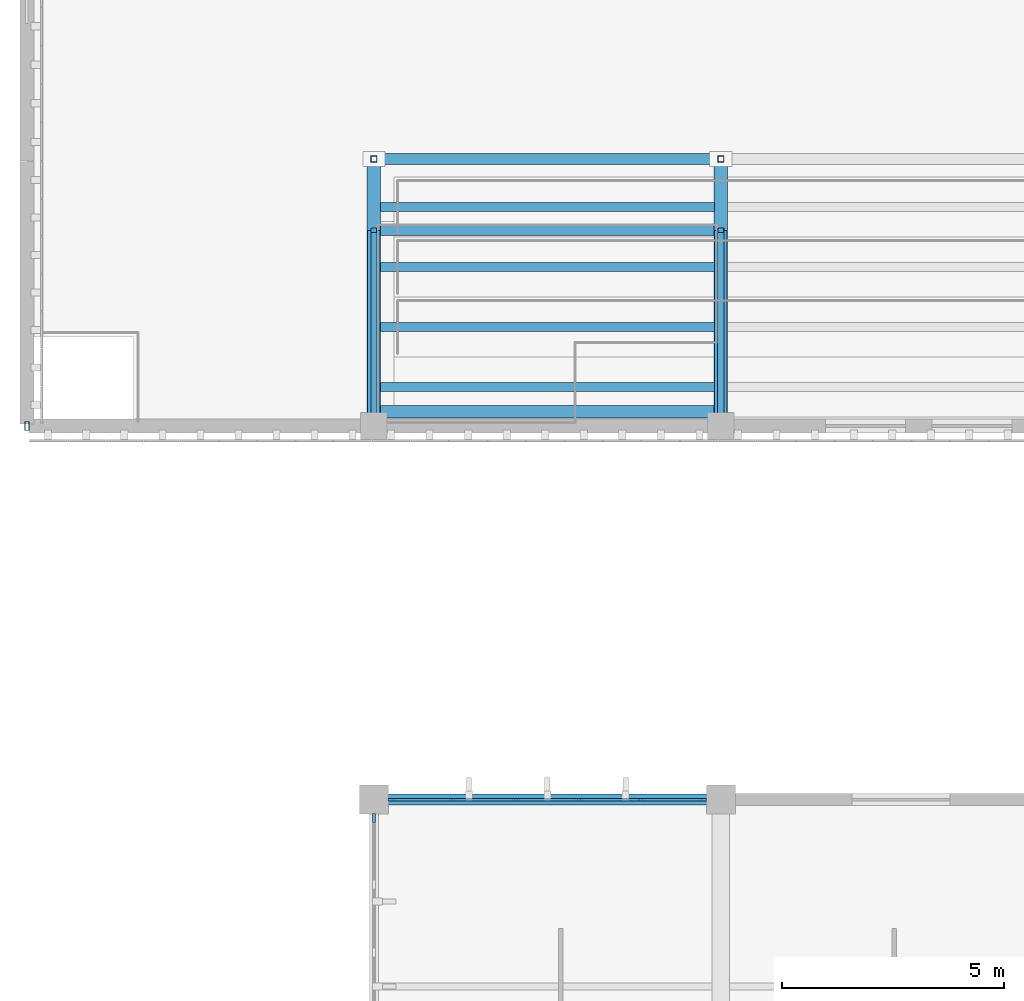
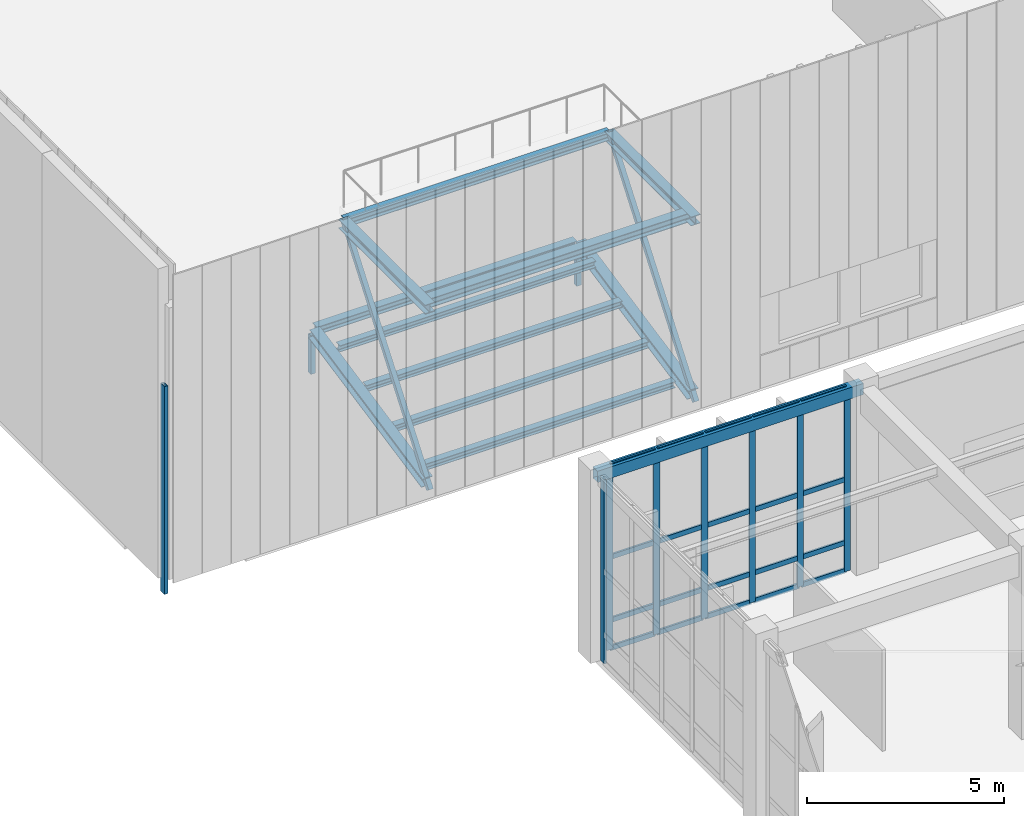
# One storey, part 14 of 105: 32 members, 12 beams, 2 elements without a shape of their own.
"""IFC4 building model written with IfcOpenShell, lengths in metres."""

import ifcopenshell
import ifcopenshell.guid

model = None  # the IFC model being written
_history = None  # IfcOwnerHistory: only IFC2X3 demands one
_inside = {}  # id of a spatial element -> (the spatial element, [elements in it])
_under = {}  # id of a project, library or spatial element -> (it, [spatial elements below it])
_declared = {}  # id of a project -> (the project, [libraries it declares])
_typed = {}  # id of a type object -> (the type object, [elements of that type])
_made_of = {}  # id of a material, layer set ... -> (it, [elements and type objects made of it])


def new_model(schema):
    """Start an empty IFC model of exactly this schema.

    Asked for "IFC4X3", IfcOpenShell would pick the latest addendum, in which some entities
    have other attributes; the version numbers below select the first issue.
    IFC2X3 requires an IfcOwnerHistory on every rooted entity: one is made here for all.
    """
    global model, _history
    if schema == "IFC4X3":
        model = ifcopenshell.file(schema_version=(4, 3, 0, 0))
    else:
        model = ifcopenshell.file(schema=schema)
    _inside.clear()
    _under.clear()
    _declared.clear()
    _typed.clear()
    _made_of.clear()
    _history = None
    if model.schema == "IFC2X3":
        org = make("IfcOrganization", Name="unknown")
        user = make(
            "IfcPersonAndOrganization",
            ThePerson=make("IfcPerson", FamilyName="unknown"),
            TheOrganization=org,
        )
        app = make(
            "IfcApplication",
            ApplicationDeveloper=org,
            Version="unknown",
            ApplicationFullName="unknown",
            ApplicationIdentifier="unknown",
        )
        _history = make(
            "IfcOwnerHistory",
            OwningUser=user,
            OwningApplication=app,
            ChangeAction="ADDED",
            CreationDate=0,
        )
    return model


def make(cls, **values):
    """One entity of the class cls with the attributes given. An attribute that is None is left unset."""
    return model.create_entity(
        cls, **{name: value for name, value in values.items() if value is not None}
    )


def rooted(cls, **values):
    """An entity with a GlobalId (a new one), such as an element, a storey or a relation."""
    return make(cls, GlobalId=ifcopenshell.guid.new(), OwnerHistory=_history, **values)


def si_unit(unit_type, name, prefix=None):
    """IfcSIUnit, for example si_unit("LENGTHUNIT", "METRE", prefix="MILLI")."""
    return make("IfcSIUnit", UnitType=unit_type, Prefix=prefix, Name=name)


def assignment(units):
    """IfcUnitAssignment: the units of a project."""
    return None if units is None else make("IfcUnitAssignment", Units=units)


def point(xyz):
    """IfcCartesianPoint."""
    return None if xyz is None else make("IfcCartesianPoint", Coordinates=xyz)


def direction(xyz):
    """IfcDirection."""
    return None if xyz is None else make("IfcDirection", DirectionRatios=xyz)


def frame(location, z_axis=None, x_axis=None):
    """IfcAxis2Placement3D, a coordinate frame: its origin and axes. An axis left out is left unset."""
    return make(
        "IfcAxis2Placement3D",
        Location=point(location),
        Axis=direction(z_axis),
        RefDirection=direction(x_axis),
    )


def frame_2d(location, x_axis=None):
    """IfcAxis2Placement2D, a coordinate frame in the plane: its origin and x axis."""
    return make(
        "IfcAxis2Placement2D", Location=point(location), RefDirection=direction(x_axis)
    )


def origin():
    """The frame at (0, 0, 0) with its axes left unset."""
    return frame((0.0, 0.0, 0.0))


def origin_2d():
    """The frame at (0, 0) in the plane with its x axis left unset."""
    return frame_2d((0.0, 0.0))


def place(relative_to, where):
    """IfcLocalPlacement: puts the frame where relative to a parent placement (None: the world)."""
    return make(
        "IfcLocalPlacement", PlacementRelTo=relative_to, RelativePlacement=where
    )


def context(
    kind, dimensions, precision=None, world=None, true_north=None, identifier=None
):
    """IfcGeometricRepresentationContext, for example the 3D "Model" context."""
    return make(
        "IfcGeometricRepresentationContext",
        ContextIdentifier=identifier,
        ContextType=kind,
        CoordinateSpaceDimension=dimensions,
        Precision=precision,
        WorldCoordinateSystem=world,
        TrueNorth=true_north,
    )


def subcontext(parent, identifier, kind, view, scale=None):
    """IfcGeometricRepresentationSubContext, for example "Body" below "Model"."""
    return make(
        "IfcGeometricRepresentationSubContext",
        ContextIdentifier=identifier,
        ContextType=kind,
        ParentContext=parent,
        TargetScale=scale,
        TargetView=view,
    )


def project(units=None, contexts=None):
    """IfcProject with its units and contexts."""
    return rooted(
        "IfcProject",
        Name="project",
        RepresentationContexts=contexts,
        UnitsInContext=assignment(units),
    )


def spatial(cls, under=None, at=None, **own):
    """A site, building, storey or space (cls), placed at a placement, below another one or the project."""
    s = rooted(cls, ObjectPlacement=at, **own)
    if under is not None:
        _under.setdefault(under.id(), (under, []))[1].append(s)
    return s


def profile(cls, at=None, kind="AREA", **sizes):
    """A parametric profile (cls). Its sizes go by their IFC names, for example OverallWidth=200.0."""
    return make(cls, ProfileType=kind, Position=at, **sizes)


def rectangle(**sizes):
    """IfcRectangleProfileDef."""
    return profile("IfcRectangleProfileDef", **sizes)


def hollow_rectangle(**sizes):
    """IfcRectangleHollowProfileDef."""
    return profile("IfcRectangleHollowProfileDef", **sizes)


def i_section(**sizes):
    """IfcIShapeProfileDef."""
    return profile("IfcIShapeProfileDef", **sizes)


def extrude(swept, where, along, depth):
    """IfcExtrudedAreaSolid: the profile swept, set in the frame where, extruded along a direction by depth."""
    return make(
        "IfcExtrudedAreaSolid",
        SweptArea=swept,
        Position=where,
        ExtrudedDirection=direction(along),
        Depth=depth,
    )


def shape(context_of_items, identifier, shape_type, items):
    """IfcShapeRepresentation: the items that make up one representation, for example the "Body"."""
    return make(
        "IfcShapeRepresentation",
        ContextOfItems=context_of_items,
        RepresentationIdentifier=identifier,
        RepresentationType=shape_type,
        Items=items,
    )


def material(Name=None, Category=None):
    """IfcMaterial."""
    return make("IfcMaterial", Name=Name, Category=Category)


def material_profile(
    of_material, cross_section, Name=None, Category=None, Priority=None
):
    """IfcMaterialProfile: a cross section and its material."""
    return make(
        "IfcMaterialProfile",
        Name=Name,
        Material=of_material,
        Profile=cross_section,
        Priority=Priority,
        Category=Category,
    )


def profile_set(profiles, Name=None, composite=None):
    """IfcMaterialProfileSet."""
    return make(
        "IfcMaterialProfileSet",
        Name=Name,
        MaterialProfiles=profiles,
        CompositeProfile=composite,
    )


def made_of(thing, what):
    """Note that an element or type object is made of a material, layer set ...; save() writes the relation."""
    if what is not None:
        _made_of.setdefault(what.id(), (what, []))[1].append(thing)
    return thing


def type_object(cls, material=None, **own):
    """A type object (cls), such as IfcWallType, which elements share."""
    return made_of(rooted(cls, **own), material)


def element(
    cls,
    number,
    at=None,
    inside=None,
    cuts=None,
    type_object=None,
    material=None,
    context=None,
    identifier="Body",
    shape_type=None,
    held_by="IfcProductDefinitionShape",
    body=None,
    shapes=None,
    **own,
):
    """One element of the class cls, such as IfcWall. Its Tag is "e" and its number.

    at: its placement. inside: the storey or other place that contains it. cuts: it is an
    opening in that element (IfcRelVoidsElement). A single representation is given by context,
    identifier, shape_type and body (its items); several are given by shapes. held_by: the class
    of the entity that holds the representations. save() writes the other relations.
    """
    e = rooted(cls, Tag="e%d" % number, ObjectPlacement=at, **own)
    if body is not None:
        shapes = [shape(context, identifier, shape_type, body)]
    if shapes is not None:
        e.Representation = make(held_by, Representations=shapes)
    if inside is not None:
        _inside.setdefault(inside.id(), (inside, []))[1].append(e)
    if cuts is not None:
        rooted(
            "IfcRelVoidsElement", RelatingBuildingElement=cuts, RelatedOpeningElement=e
        )
    if type_object is not None:
        _typed.setdefault(type_object.id(), (type_object, []))[1].append(e)
    return made_of(e, material)


def aggregate(whole, parts):
    """IfcRelAggregates: a whole, such as a stair, and the parts it consists of."""
    return rooted("IfcRelAggregates", RelatingObject=whole, RelatedObjects=parts)


def save(model, path):
    """Write the relations noted so far, then the file.

    IfcRelAggregates (storeys below a building ...), IfcRelContainedInSpatialStructure (elements
    in a storey), IfcRelDefinesByType, IfcRelAssociatesMaterial and IfcRelDeclares: one each for
    every whole, place, type object, material and project.
    """
    for whole, parts in _under.values():
        aggregate(whole, parts)
    for where, things in _inside.values():
        rooted(
            "IfcRelContainedInSpatialStructure",
            RelatedElements=things,
            RelatingStructure=where,
        )
    for kind, things in _typed.values():
        rooted("IfcRelDefinesByType", RelatedObjects=things, RelatingType=kind)
    for what, things in _made_of.values():
        rooted("IfcRelAssociatesMaterial", RelatedObjects=things, RelatingMaterial=what)
    for by, libraries in _declared.values():
        rooted("IfcRelDeclares", RelatingContext=by, RelatedDefinitions=libraries)
    model.write(path)


model = new_model("IFC4")

# Units and contexts
model_context = context("Model", 3, precision=1e-05, world=origin(), true_north=direction((0.0, 1.0)))
body_context = subcontext(model_context, "Body", "Model", "MODEL_VIEW")
ifc_project = project(units=[si_unit("LENGTHUNIT", "METRE"), si_unit("AREAUNIT", "SQUARE_METRE"), si_unit("VOLUMEUNIT", "CUBIC_METRE"), si_unit("PLANEANGLEUNIT", "RADIAN"), si_unit("MASSUNIT", "GRAM", prefix="KILO")], contexts=[model_context])

# Site, building, storey
site_placement = place(None, origin())
site = spatial("IfcSite", under=ifc_project, at=site_placement, CompositionType="ELEMENT")
building_placement = place(site_placement, origin())
building = spatial("IfcBuilding", under=site, at=building_placement, Name="Tizgana Railside Sports Hall", CompositionType="ELEMENT")
storey_placement = place(building_placement, frame((0.0, 0.0, 6.0)))
storey = spatial("IfcBuildingStorey", under=building, at=storey_placement, Name="L01", CompositionType="ELEMENT", Elevation=6.0)

# Curtain wall, members
ifc_material_1 = material(Name="Anodised aluminium and glass", Category="aluminium")
curtain_wall_type_1 = type_object("IfcCurtainWallType", Name="Unitised Curtain Wall Clinic 1200", PredefinedType="NOTDEFINED", material=ifc_material_1)
curtain_wall_1_placement = place(storey_placement, origin())
curtain_wall_1 = element("IfcCurtainWall", 1, at=curtain_wall_1_placement, inside=storey, type_object=curtain_wall_type_1, Name="L01 Curtain Wall CW-0092", PredefinedType="NOTDEFINED")
ifc_material_2 = material(Name="Anodised aluminium", Category="aluminium")
ifc_material_profile_1 = material_profile(ifc_material_2, rectangle(XDim=0.06005859375, YDim=0.179931640625, at=origin_2d()), Name="Mullion 60x180")
ifc_profile_set_1 = profile_set([ifc_material_profile_1], Name="Anodised aluminium")
member_type_1 = type_object("IfcMemberType", Name="Mullion 60x180", PredefinedType="MULLION", material=ifc_profile_set_1)
member_1_placement = place(storey_placement, frame((8.2099609375, 32.39990234375, 0.0), z_axis=(0.0, 0.0, 1.0), x_axis=(0.0, 1.0, 0.0)))
member_1 = element("IfcMember", 2, at=member_1_placement, type_object=member_type_1, Name="CW-05 mullion 1", PredefinedType="MULLION", context=body_context, shape_type="SweptSolid", body=[
    extrude(rectangle(XDim=0.06005859375, YDim=0.179931640625, at=origin_2d()), origin(), (0.0, 0.0, 1.0), 5.719970703125),
])
member_2_placement = place(storey_placement, frame((9.587890625, 32.39990234375, 0.0), z_axis=(0.0, 0.0, 1.0), x_axis=(0.0, 1.0, 0.0)))
member_2 = element("IfcMember", 3, at=member_2_placement, type_object=member_type_1, Name="CW-05 mullion 2", PredefinedType="MULLION", context=body_context, shape_type="SweptSolid", body=[
    extrude(rectangle(XDim=0.06005859375, YDim=0.179931640625, at=origin_2d()), origin(), (0.0, 0.0, 1.0), 5.719970703125),
])
member_3_placement = place(storey_placement, frame((10.99609375, 32.39990234375, 0.0), z_axis=(0.0, 0.0, 1.0), x_axis=(0.0, 1.0, 0.0)))
member_3 = element("IfcMember", 4, at=member_3_placement, type_object=member_type_1, Name="CW-05 mullion 3", PredefinedType="MULLION", context=body_context, shape_type="SweptSolid", body=[
    extrude(rectangle(XDim=0.06005859375, YDim=0.179931640625, at=origin_2d()), origin(), (0.0, 0.0, 1.0), 5.719970703125),
])
member_4_placement = place(storey_placement, frame((12.404052734375, 32.39990234375, 0.0), z_axis=(0.0, 0.0, 1.0), x_axis=(0.0, 1.0, 0.0)))
member_4 = element("IfcMember", 5, at=member_4_placement, type_object=member_type_1, Name="CW-05 mullion 4", PredefinedType="MULLION", context=body_context, shape_type="SweptSolid", body=[
    extrude(rectangle(XDim=0.06005859375, YDim=0.179931640625, at=origin_2d()), origin(), (0.0, 0.0, 1.0), 5.719970703125),
])
member_5_placement = place(storey_placement, frame((13.81201171875, 32.39990234375, 0.0), z_axis=(0.0, 0.0, 1.0), x_axis=(0.0, 1.0, 0.0)))
member_5 = element("IfcMember", 6, at=member_5_placement, type_object=member_type_1, Name="CW-05 mullion 5", PredefinedType="MULLION", context=body_context, shape_type="SweptSolid", body=[
    extrude(rectangle(XDim=0.06005859375, YDim=0.179931640625, at=origin_2d()), origin(), (0.0, 0.0, 1.0), 5.719970703125),
])
member_6_placement = place(storey_placement, frame((15.18994140625, 32.39990234375, 0.0), z_axis=(0.0, 0.0, 1.0), x_axis=(0.0, 1.0, 0.0)))
member_6 = element("IfcMember", 7, at=member_6_placement, type_object=member_type_1, Name="CW-05 mullion 6", PredefinedType="MULLION", context=body_context, shape_type="SweptSolid", body=[
    extrude(rectangle(XDim=0.06005859375, YDim=0.179931640625, at=origin_2d()), origin(), (0.0, 0.0, 1.0), 5.719970703125),
])

# Curtain wall, member
curtain_wall_type_2 = type_object("IfcCurtainWallType", Name="Unitised Curtain Wall Climbing 1600", PredefinedType="NOTDEFINED", material=ifc_material_1)
curtain_wall_2_placement = place(storey_placement, origin())
curtain_wall_2 = element("IfcCurtainWall", 8, at=curtain_wall_2_placement, inside=storey, type_object=curtain_wall_type_2, Name="L01 Curtain Wall CW-0099", PredefinedType="NOTDEFINED")
ifc_material_profile_2 = material_profile(ifc_material_2, rectangle(XDim=0.06494140625, YDim=0.199951171875, at=origin_2d()), Name="Mullion 65x200")
ifc_profile_set_2 = profile_set([ifc_material_profile_2], Name="Anodised aluminium")
member_type_2 = type_object("IfcMemberType", Name="Mullion 65x200", PredefinedType="MULLION", material=ifc_profile_set_2)
member_7_placement = place(storey_placement, frame((7.800048828125, 31.987548828125, 0.0), z_axis=(0.0, 0.0, 1.0), x_axis=(1.0, 0.0, 0.0)))
member_7 = element("IfcMember", 9, at=member_7_placement, type_object=member_type_2, Name="CW-04 mullion 1", PredefinedType="MULLION", context=body_context, shape_type="SweptSolid", body=[
    extrude(rectangle(XDim=0.06494140625, YDim=0.199951171875, at=origin_2d()), origin(), (0.0, 0.0, 1.0), 5.719970703125),
])
aggregate(curtain_wall_2, [member_7])

# Beams
ifc_material_3 = material(Name="Steel S355J2", Category="steel")
ifc_material_profile_3 = material_profile(ifc_material_3, i_section(OverallWidth=0.199951171875, OverallDepth=0.199951171875, WebThickness=0.009033203125, FlangeThickness=0.014892578125, FilletRadius=0.01806640625, at=origin_2d()), Name="HEB 200")
ifc_profile_set_3 = profile_set([ifc_material_profile_3], Name="Steel S355J2")
beam_type_1 = type_object("IfcBeamType", Name="Steel Beam HEB 200", PredefinedType="BEAM", material=ifc_profile_set_3)
for number, where, z_axis, x_axis, name in (
    (10, (7.945068359375, 41.675048828125, 0.10498046875), (1.0, 0.0, 0.0), (0.0, 1.0, 0.0), "L01 Stand Stringer BEM-0019"),
    (11, (7.945068359375, 43.02490234375, 0.52490234375), (1.0, 0.0, 0.0), (0.0, 1.0, 0.0), "L01 Stand Stringer BEM-0024"),
    (12, (7.945068359375, 44.375, 0.965087890625), (1.0, 0.0, 0.0), (0.0, 1.0, 0.0), "L01 Stand Stringer BEM-0029"),
    (13, (7.945068359375, 45.72509765625, 1.385009765625), (1.0, 0.0, 0.0), (0.0, 1.0, 0.0), "L01 Stand Stringer BEM-0034"),
):
    element("IfcBeam", number, at=place(storey_placement, frame(where, z_axis=z_axis, x_axis=x_axis)), inside=storey, type_object=beam_type_1, Name=name, PredefinedType="BEAM", context=body_context, shape_type="SweptSolid", body=[
        extrude(i_section(OverallWidth=0.199951171875, OverallDepth=0.199951171875, WebThickness=0.009033203125, FlangeThickness=0.014892578125, FilletRadius=0.01806640625, at=origin_2d()), origin(), (0.0, 0.0, 1.0), 7.510009765625),
    ])
ifc_material_profile_4 = material_profile(ifc_material_3, i_section(OverallWidth=0.239990234375, OverallDepth=0.239990234375, WebThickness=0.010009765625, FlangeThickness=0.01708984375, FilletRadius=0.02099609375, at=origin_2d()), Name="HEB 240")
ifc_profile_set_4 = profile_set([ifc_material_profile_4], Name="Steel S355J2")
beam_type_2 = type_object("IfcBeamType", Name="Steel Beam HEB 240", PredefinedType="BEAM", material=ifc_profile_set_4)
beam_1_placement = place(storey_placement, frame((7.8798828125, 46.800048828125, 1.320068359375), z_axis=(1.0, 0.0, 0.0), x_axis=(0.0, 1.0, 0.0)))
element("IfcBeam", 14, at=beam_1_placement, inside=storey, type_object=beam_type_2, Name="L01 Stand Rear Header SHB-0001", PredefinedType="BEAM", context=body_context, shape_type="SweptSolid", body=[
    extrude(i_section(OverallWidth=0.239990234375, OverallDepth=0.239990234375, WebThickness=0.010009765625, FlangeThickness=0.01708984375, FilletRadius=0.02099609375, at=origin_2d()), origin(), (0.0, 0.0, 1.0), 7.64013671875),
])
beam_2_placement = place(storey_placement, frame((7.800048828125, 45.199951171875, 5.64990234375), z_axis=(1.0, 0.0, 0.0), x_axis=(0.0, 1.0, 0.0)))
element("IfcBeam", 15, at=beam_2_placement, inside=storey, type_object=beam_type_2, Name="L01 BEM-1246", PredefinedType="BEAM", context=body_context, shape_type="SweptSolid", body=[
    extrude(i_section(OverallWidth=0.239990234375, OverallDepth=0.239990234375, WebThickness=0.010009765625, FlangeThickness=0.01708984375, FilletRadius=0.02099609375, at=origin_2d()), origin(), (0.0, 0.0, 1.0), 7.800048828125),
])
ifc_material_profile_5 = material_profile(ifc_material_3, i_section(OverallWidth=0.280029296875, OverallDepth=0.280029296875, WebThickness=0.010498046875, FlangeThickness=0.01806640625, FilletRadius=0.02392578125, at=origin_2d()), Name="HEB 280")
ifc_profile_set_5 = profile_set([ifc_material_profile_5], Name="Steel S355J2")
beam_type_3 = type_object("IfcBeamType", Name="Steel Beam HEB 280", PredefinedType="BEAM", material=ifc_profile_set_5)
beam_3_placement = place(storey_placement, frame((7.800048828125, 41.1201171875, 5.6298828125), z_axis=(1.0, 0.0, 0.0), x_axis=(0.0, 1.0, 0.0)))
element("IfcBeam", 16, at=beam_3_placement, inside=storey, type_object=beam_type_3, Name="L01 BEM-1245", PredefinedType="BEAM", context=body_context, shape_type="SweptSolid", body=[
    extrude(i_section(OverallWidth=0.280029296875, OverallDepth=0.280029296875, WebThickness=0.010498046875, FlangeThickness=0.01806640625, FilletRadius=0.02392578125, at=origin_2d()), origin(), (0.0, 0.0, 1.0), 7.800048828125),
])
for number, where, z_axis, x_axis, name in (
    (17, (7.800048828125, 40.800048828125, 5.6298828125), (0.0, 1.0, 0.0), (-1.0, 0.0, 0.0), "L01 BEM-1247"),
    (18, (15.60009765625, 40.800048828125, 5.6298828125), (0.0, 1.0, 0.0), (-1.0, 0.0, 0.0), "L01 BEM-1248"),
):
    element("IfcBeam", number, at=place(storey_placement, frame(where, z_axis=z_axis, x_axis=x_axis)), inside=storey, type_object=beam_type_3, Name=name, PredefinedType="BEAM", context=body_context, shape_type="SweptSolid", body=[
        extrude(i_section(OverallWidth=0.280029296875, OverallDepth=0.280029296875, WebThickness=0.010498046875, FlangeThickness=0.01806640625, FilletRadius=0.02392578125, at=origin_2d()), origin(), (0.0, 0.0, 1.0), 4.39990234375),
    ])
ifc_material_profile_6 = material_profile(ifc_material_3, i_section(OverallWidth=0.300048828125, OverallDepth=0.300048828125, WebThickness=0.010986328125, FlangeThickness=0.01904296875, FilletRadius=0.027099609375, at=origin_2d()), Name="HEB 300")
ifc_profile_set_6 = profile_set([ifc_material_profile_6], Name="Steel S355J2")
beam_type_4 = type_object("IfcBeamType", Name="Steel Beam HEB 300", PredefinedType="BEAM", material=ifc_profile_set_6)
for number, where, z_axis, x_axis, name in (
    (19, (7.800048828125, 40.949951171875, 0.14990234375), (0.0, 0.979812896837, 0.199916700632), (-1.0, 0.0, 0.0), "L01 Stand Main Raker BEM-0013"),
    (20, (15.60009765625, 40.949951171875, 0.14990234375), (0.0, 0.979812896837, 0.199916700632), (-1.0, 0.0, 0.0), "L01 Stand Main Raker BEM-0014"),
):
    element("IfcBeam", number, at=place(storey_placement, frame(where, z_axis=z_axis, x_axis=x_axis)), inside=storey, type_object=beam_type_4, Name=name, PredefinedType="BEAM", context=body_context, shape_type="SweptSolid", body=[
        extrude(i_section(OverallWidth=0.300048828125, OverallDepth=0.300048828125, WebThickness=0.010986328125, FlangeThickness=0.01904296875, FilletRadius=0.027099609375, at=origin_2d()), origin(), (0.0, 0.0, 1.0), 5.853271484375),
    ])

# Members
ifc_material_profile_7 = material_profile(ifc_material_3, hollow_rectangle(XDim=0.10009765625, YDim=0.199951171875, WallThickness=0.008056640625, at=origin_2d()), Name="RHS 200x100x8")
ifc_profile_set_7 = profile_set([ifc_material_profile_7], Name="Steel S355J2")
member_type_3 = type_object("IfcMemberType", Name="Steel Brace RHS 200x100x8", PredefinedType="BRACE", material=ifc_profile_set_7)
member_8_placement = place(storey_placement, frame((0.0, 40.800048828125, -0.449951171875), z_axis=(0.0, 0.0, 1.0), x_axis=(1.0, 0.0, 0.0)))
element("IfcMember", 21, at=member_8_placement, inside=storey, type_object=member_type_3, Name="L01 Tip Post MEM-0001", PredefinedType="BRACE", context=body_context, shape_type="SweptSolid", body=[
    extrude(hollow_rectangle(XDim=0.10009765625, YDim=0.199951171875, WallThickness=0.008056640625, at=origin_2d()), origin(), (0.0, 0.0, 1.0), 6.449951171875),
])
ifc_material_profile_8 = material_profile(ifc_material_3, hollow_rectangle(XDim=0.139892578125, YDim=0.139892578125, WallThickness=0.008056640625, at=origin_2d()), Name="SHS 140x140x8")
ifc_profile_set_8 = profile_set([ifc_material_profile_8], Name="Steel S355J2")
member_type_4 = type_object("IfcMemberType", Name="Steel Brace SHS 140x140x8", PredefinedType="BRACE", material=ifc_profile_set_8)
for number, where, z_axis, x_axis, name in (
    (22, (7.800048828125, 46.800048828125, 0.0), (0.0, 0.0, 1.0), (1.0, 0.0, 0.0), "L01 Stand Strut"),
    (23, (15.60009765625, 46.800048828125, 0.0), (0.0, 0.0, 1.0), (1.0, 0.0, 0.0), "L01 Stand Strut"),
):
    element("IfcMember", number, at=place(storey_placement, frame(where, z_axis=z_axis, x_axis=x_axis)), inside=storey, type_object=member_type_4, Name=name, PredefinedType="BRACE", context=body_context, shape_type="SweptSolid", body=[
        extrude(hollow_rectangle(XDim=0.139892578125, YDim=0.139892578125, WallThickness=0.008056640625, at=origin_2d()), origin(), (0.0, 0.0, 1.0), 1.18994140625),
    ])
for number, where, z_axis, x_axis, name in (
    (24, (7.800048828125, 40.800048828125, 0.0), (0.0, 0.606365528469, 0.795186044825), (-1.0, 0.0, 0.0), "L01 Catwalk Raker"),
    (25, (15.60009765625, 40.800048828125, 0.0), (0.0, 0.606365528469, 0.795186044825), (-1.0, 0.0, 0.0), "L01 Catwalk Raker"),
):
    element("IfcMember", number, at=place(storey_placement, frame(where, z_axis=z_axis, x_axis=x_axis)), inside=storey, type_object=member_type_4, Name=name, PredefinedType="BRACE", context=body_context, shape_type="SweptSolid", body=[
        extrude(hollow_rectangle(XDim=0.139892578125, YDim=0.139892578125, WallThickness=0.008056640625, at=origin_2d()), origin(), (0.0, 0.0, 1.0), 7.256103515625),
    ])

# Beam
ifc_material_profile_9 = material_profile(ifc_material_3, hollow_rectangle(XDim=0.25, YDim=0.35009765625, WallThickness=0.011962890625, at=origin_2d()), Name="RHS 350x250x12")
ifc_profile_set_9 = profile_set([ifc_material_profile_9], Name="Steel S355J2")
beam_type_5 = type_object("IfcBeamType", Name="Steel Spandrel RHS 350x250x12", PredefinedType="SPANDREL", material=ifc_profile_set_9)
beam_4_placement = place(storey_placement, frame((7.800048828125, 32.39990234375, 5.56103515625), z_axis=(1.0, 0.0, 0.0), x_axis=(0.0, 1.0, 0.0)))
element("IfcBeam", 26, at=beam_4_placement, inside=storey, type_object=beam_type_5, Name="L01 BEM-0513", PredefinedType="SPANDREL", context=body_context, shape_type="SweptSolid", body=[
    extrude(hollow_rectangle(XDim=0.25, YDim=0.35009765625, WallThickness=0.011962890625, at=origin_2d()), origin(), (0.0, 0.0, 1.0), 7.800048828125),
])

# Member
ifc_material_profile_10 = material_profile(ifc_material_2, rectangle(XDim=0.06005859375, YDim=0.14990234375, at=origin_2d()), Name="Transom 60x150")
ifc_profile_set_10 = profile_set([ifc_material_profile_10], Name="Anodised aluminium")
member_type_5 = type_object("IfcMemberType", Name="Transom 60x150", PredefinedType="USERDEFINED", material=ifc_profile_set_10)
member_9_placement = place(storey_placement, frame((8.239990234375, 32.39990234375, 0.030029296875), z_axis=(1.0, 0.0, 0.0), x_axis=(0.0, 1.0, 0.0)))
member_9 = element("IfcMember", 27, at=member_9_placement, type_object=member_type_5, Name="CW-05 transom 1.1", ObjectType="TRANSOM", PredefinedType="USERDEFINED", context=body_context, shape_type="SweptSolid", body=[
    extrude(rectangle(XDim=0.06005859375, YDim=0.14990234375, at=origin_2d()), origin(), (0.0, 0.0, 1.0), 1.318115234375),
])

member_10_placement = place(storey_placement, frame((8.239990234375, 32.39990234375, 0.89990234375), z_axis=(1.0, 0.0, 0.0), x_axis=(0.0, 1.0, 0.0)))
member_10 = element("IfcMember", 28, at=member_10_placement, type_object=member_type_5, Name="CW-05 transom 1.2", ObjectType="TRANSOM", PredefinedType="USERDEFINED", context=body_context, shape_type="SweptSolid", body=[
    extrude(rectangle(XDim=0.06005859375, YDim=0.14990234375, at=origin_2d()), origin(), (0.0, 0.0, 1.0), 1.318115234375),
])

member_11_placement = place(storey_placement, frame((8.239990234375, 32.39990234375, 2.860107421875), z_axis=(1.0, 0.0, 0.0), x_axis=(0.0, 1.0, 0.0)))
member_11 = element("IfcMember", 29, at=member_11_placement, type_object=member_type_5, Name="CW-05 transom 1.3", ObjectType="TRANSOM", PredefinedType="USERDEFINED", context=body_context, shape_type="SweptSolid", body=[
    extrude(rectangle(XDim=0.06005859375, YDim=0.14990234375, at=origin_2d()), origin(), (0.0, 0.0, 1.0), 1.318115234375),
])

member_12_placement = place(storey_placement, frame((8.239990234375, 32.39990234375, 5.68994140625), z_axis=(1.0, 0.0, 0.0), x_axis=(0.0, 1.0, 0.0)))
member_12 = element("IfcMember", 30, at=member_12_placement, type_object=member_type_5, Name="CW-05 transom 1.4", ObjectType="TRANSOM", PredefinedType="USERDEFINED", context=body_context, shape_type="SweptSolid", body=[
    extrude(rectangle(XDim=0.06005859375, YDim=0.14990234375, at=origin_2d()), origin(), (0.0, 0.0, 1.0), 1.318115234375),
])

member_13_placement = place(storey_placement, frame((9.617919921875, 32.39990234375, 0.030029296875), z_axis=(1.0, 0.0, 0.0), x_axis=(0.0, 1.0, 0.0)))
member_13 = element("IfcMember", 31, at=member_13_placement, type_object=member_type_5, Name="CW-05 transom 2.1", ObjectType="TRANSOM", PredefinedType="USERDEFINED", context=body_context, shape_type="SweptSolid", body=[
    extrude(rectangle(XDim=0.06005859375, YDim=0.14990234375, at=origin_2d()), origin(), (0.0, 0.0, 1.0), 1.34814453125),
])

member_14_placement = place(storey_placement, frame((9.617919921875, 32.39990234375, 0.89990234375), z_axis=(1.0, 0.0, 0.0), x_axis=(0.0, 1.0, 0.0)))
member_14 = element("IfcMember", 32, at=member_14_placement, type_object=member_type_5, Name="CW-05 transom 2.2", ObjectType="TRANSOM", PredefinedType="USERDEFINED", context=body_context, shape_type="SweptSolid", body=[
    extrude(rectangle(XDim=0.06005859375, YDim=0.14990234375, at=origin_2d()), origin(), (0.0, 0.0, 1.0), 1.34814453125),
])

member_15_placement = place(storey_placement, frame((9.617919921875, 32.39990234375, 2.860107421875), z_axis=(1.0, 0.0, 0.0), x_axis=(0.0, 1.0, 0.0)))
member_15 = element("IfcMember", 33, at=member_15_placement, type_object=member_type_5, Name="CW-05 transom 2.3", ObjectType="TRANSOM", PredefinedType="USERDEFINED", context=body_context, shape_type="SweptSolid", body=[
    extrude(rectangle(XDim=0.06005859375, YDim=0.14990234375, at=origin_2d()), origin(), (0.0, 0.0, 1.0), 1.34814453125),
])

member_16_placement = place(storey_placement, frame((9.617919921875, 32.39990234375, 5.68994140625), z_axis=(1.0, 0.0, 0.0), x_axis=(0.0, 1.0, 0.0)))
member_16 = element("IfcMember", 34, at=member_16_placement, type_object=member_type_5, Name="CW-05 transom 2.4", ObjectType="TRANSOM", PredefinedType="USERDEFINED", context=body_context, shape_type="SweptSolid", body=[
    extrude(rectangle(XDim=0.06005859375, YDim=0.14990234375, at=origin_2d()), origin(), (0.0, 0.0, 1.0), 1.34814453125),
])

member_17_placement = place(storey_placement, frame((11.02587890625, 32.39990234375, 0.030029296875), z_axis=(1.0, 0.0, 0.0), x_axis=(0.0, 1.0, 0.0)))
member_17 = element("IfcMember", 35, at=member_17_placement, type_object=member_type_5, Name="CW-05 transom 3.1", ObjectType="TRANSOM", PredefinedType="USERDEFINED", context=body_context, shape_type="SweptSolid", body=[
    extrude(rectangle(XDim=0.06005859375, YDim=0.14990234375, at=origin_2d()), origin(), (0.0, 0.0, 1.0), 1.34814453125),
])

member_18_placement = place(storey_placement, frame((11.02587890625, 32.39990234375, 0.89990234375), z_axis=(1.0, 0.0, 0.0), x_axis=(0.0, 1.0, 0.0)))
member_18 = element("IfcMember", 36, at=member_18_placement, type_object=member_type_5, Name="CW-05 transom 3.2", ObjectType="TRANSOM", PredefinedType="USERDEFINED", context=body_context, shape_type="SweptSolid", body=[
    extrude(rectangle(XDim=0.06005859375, YDim=0.14990234375, at=origin_2d()), origin(), (0.0, 0.0, 1.0), 1.34814453125),
])

member_19_placement = place(storey_placement, frame((11.02587890625, 32.39990234375, 2.860107421875), z_axis=(1.0, 0.0, 0.0), x_axis=(0.0, 1.0, 0.0)))
member_19 = element("IfcMember", 37, at=member_19_placement, type_object=member_type_5, Name="CW-05 transom 3.3", ObjectType="TRANSOM", PredefinedType="USERDEFINED", context=body_context, shape_type="SweptSolid", body=[
    extrude(rectangle(XDim=0.06005859375, YDim=0.14990234375, at=origin_2d()), origin(), (0.0, 0.0, 1.0), 1.34814453125),
])

member_20_placement = place(storey_placement, frame((11.02587890625, 32.39990234375, 5.68994140625), z_axis=(1.0, 0.0, 0.0), x_axis=(0.0, 1.0, 0.0)))
member_20 = element("IfcMember", 38, at=member_20_placement, type_object=member_type_5, Name="CW-05 transom 3.4", ObjectType="TRANSOM", PredefinedType="USERDEFINED", context=body_context, shape_type="SweptSolid", body=[
    extrude(rectangle(XDim=0.06005859375, YDim=0.14990234375, at=origin_2d()), origin(), (0.0, 0.0, 1.0), 1.34814453125),
])

member_21_placement = place(storey_placement, frame((12.43408203125, 32.39990234375, 0.030029296875), z_axis=(1.0, 0.0, 0.0), x_axis=(0.0, 1.0, 0.0)))
member_21 = element("IfcMember", 39, at=member_21_placement, type_object=member_type_5, Name="CW-05 transom 4.1", ObjectType="TRANSOM", PredefinedType="USERDEFINED", context=body_context, shape_type="SweptSolid", body=[
    extrude(rectangle(XDim=0.06005859375, YDim=0.14990234375, at=origin_2d()), origin(), (0.0, 0.0, 1.0), 1.347900390625),
])

member_22_placement = place(storey_placement, frame((12.43408203125, 32.39990234375, 0.89990234375), z_axis=(1.0, 0.0, 0.0), x_axis=(0.0, 1.0, 0.0)))
member_22 = element("IfcMember", 40, at=member_22_placement, type_object=member_type_5, Name="CW-05 transom 4.2", ObjectType="TRANSOM", PredefinedType="USERDEFINED", context=body_context, shape_type="SweptSolid", body=[
    extrude(rectangle(XDim=0.06005859375, YDim=0.14990234375, at=origin_2d()), origin(), (0.0, 0.0, 1.0), 1.347900390625),
])

member_23_placement = place(storey_placement, frame((12.43408203125, 32.39990234375, 2.860107421875), z_axis=(1.0, 0.0, 0.0), x_axis=(0.0, 1.0, 0.0)))
member_23 = element("IfcMember", 41, at=member_23_placement, type_object=member_type_5, Name="CW-05 transom 4.3", ObjectType="TRANSOM", PredefinedType="USERDEFINED", context=body_context, shape_type="SweptSolid", body=[
    extrude(rectangle(XDim=0.06005859375, YDim=0.14990234375, at=origin_2d()), origin(), (0.0, 0.0, 1.0), 1.347900390625),
])

member_24_placement = place(storey_placement, frame((12.43408203125, 32.39990234375, 5.68994140625), z_axis=(1.0, 0.0, 0.0), x_axis=(0.0, 1.0, 0.0)))
member_24 = element("IfcMember", 42, at=member_24_placement, type_object=member_type_5, Name="CW-05 transom 4.4", ObjectType="TRANSOM", PredefinedType="USERDEFINED", context=body_context, shape_type="SweptSolid", body=[
    extrude(rectangle(XDim=0.06005859375, YDim=0.14990234375, at=origin_2d()), origin(), (0.0, 0.0, 1.0), 1.347900390625),
])

member_25_placement = place(storey_placement, frame((13.842041015625, 32.39990234375, 0.030029296875), z_axis=(1.0, 0.0, 0.0), x_axis=(0.0, 1.0, 0.0)))
member_25 = element("IfcMember", 43, at=member_25_placement, type_object=member_type_5, Name="CW-05 transom 5.1", ObjectType="TRANSOM", PredefinedType="USERDEFINED", context=body_context, shape_type="SweptSolid", body=[
    extrude(rectangle(XDim=0.06005859375, YDim=0.14990234375, at=origin_2d()), origin(), (0.0, 0.0, 1.0), 1.31787109375),
])

member_26_placement = place(storey_placement, frame((13.842041015625, 32.39990234375, 0.89990234375), z_axis=(1.0, 0.0, 0.0), x_axis=(0.0, 1.0, 0.0)))
member_26 = element("IfcMember", 44, at=member_26_placement, type_object=member_type_5, Name="CW-05 transom 5.2", ObjectType="TRANSOM", PredefinedType="USERDEFINED", context=body_context, shape_type="SweptSolid", body=[
    extrude(rectangle(XDim=0.06005859375, YDim=0.14990234375, at=origin_2d()), origin(), (0.0, 0.0, 1.0), 1.31787109375),
])

member_27_placement = place(storey_placement, frame((13.842041015625, 32.39990234375, 2.860107421875), z_axis=(1.0, 0.0, 0.0), x_axis=(0.0, 1.0, 0.0)))
member_27 = element("IfcMember", 45, at=member_27_placement, type_object=member_type_5, Name="CW-05 transom 5.3", ObjectType="TRANSOM", PredefinedType="USERDEFINED", context=body_context, shape_type="SweptSolid", body=[
    extrude(rectangle(XDim=0.06005859375, YDim=0.14990234375, at=origin_2d()), origin(), (0.0, 0.0, 1.0), 1.31787109375),
])

member_28_placement = place(storey_placement, frame((13.842041015625, 32.39990234375, 5.68994140625), z_axis=(1.0, 0.0, 0.0), x_axis=(0.0, 1.0, 0.0)))
member_28 = element("IfcMember", 46, at=member_28_placement, type_object=member_type_5, Name="CW-05 transom 5.4", ObjectType="TRANSOM", PredefinedType="USERDEFINED", context=body_context, shape_type="SweptSolid", body=[
    extrude(rectangle(XDim=0.06005859375, YDim=0.14990234375, at=origin_2d()), origin(), (0.0, 0.0, 1.0), 1.31787109375),
])

aggregate(curtain_wall_1, [member_1, member_2, member_3, member_4, member_5, member_6, member_9, member_10, member_11, member_12, member_13, member_14, member_15, member_16, member_17, member_18, member_19, member_20, member_21, member_22, member_23, member_24, member_25, member_26, member_27, member_28])

save(model, "model.ifc")
